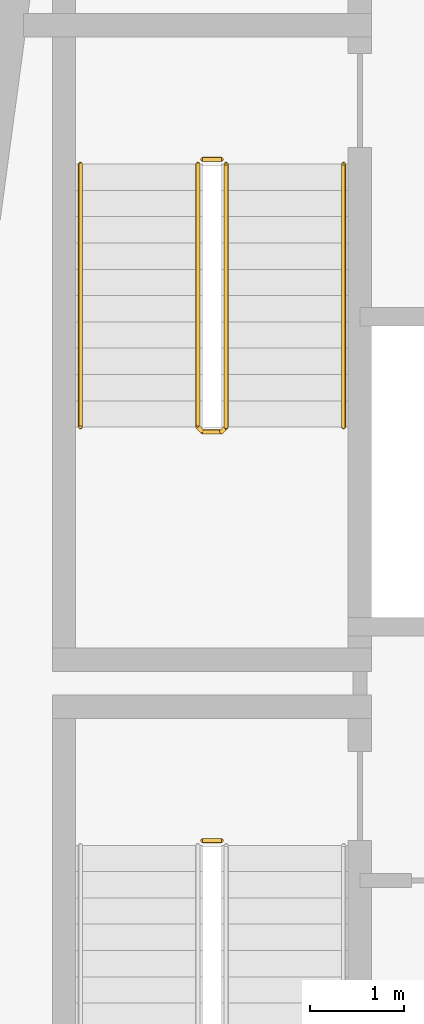
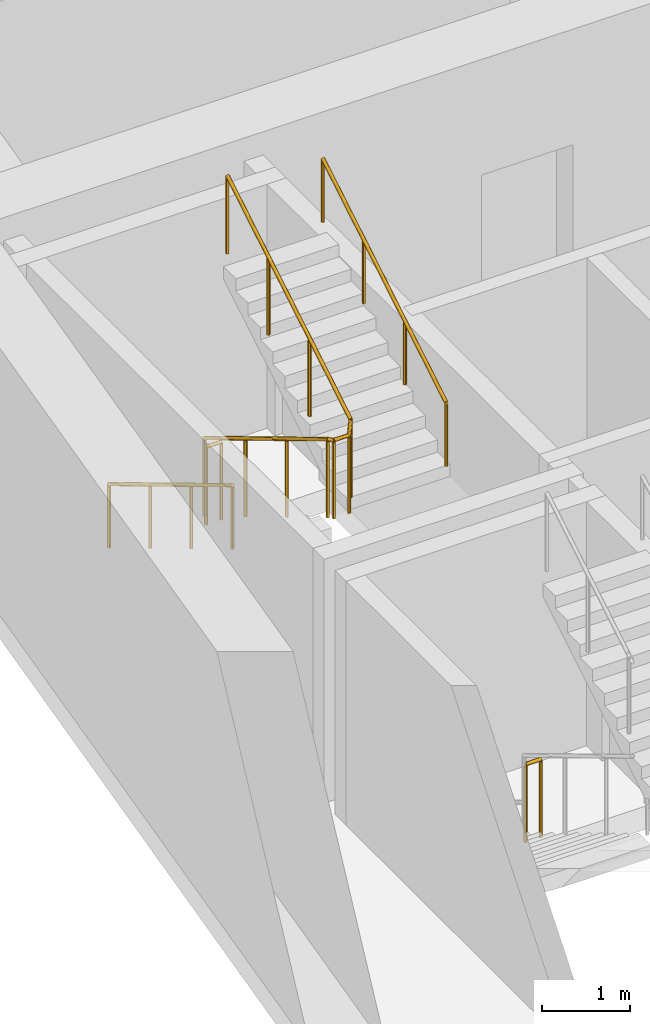
# One storey, part 10 of 13: 5 railings.
"""IFC4 building model written with IfcOpenShell, lengths in metres."""

from ifc_helpers import new_model, si_unit, direction, frame, origin, origin_2d, place, context, subcontext, project, spatial, circle, extrude, material, type_object, element, save


model = new_model("IFC4")

# Units and contexts
model_context = context("Model", 3, precision=1e-05, world=origin(), true_north=direction((0.0, 1.0)))
body_context = subcontext(model_context, "Body", "Model", "MODEL_VIEW")
ifc_project = project(units=[si_unit("LENGTHUNIT", "METRE"), si_unit("AREAUNIT", "SQUARE_METRE"), si_unit("VOLUMEUNIT", "CUBIC_METRE"), si_unit("PLANEANGLEUNIT", "RADIAN"), si_unit("MASSUNIT", "GRAM", prefix="KILO")], contexts=[model_context])

# Site, building, storey
site_placement = place(None, origin())
site = spatial("IfcSite", under=ifc_project, at=site_placement, CompositionType="ELEMENT")
building_placement = place(site_placement, origin())
building = spatial("IfcBuilding", under=site, at=building_placement, Name="Candeia Pilgrim Tower and Theatre", CompositionType="ELEMENT")
storey_placement = place(building_placement, frame((0.0, 0.0, 205.89990234375)))
storey = spatial("IfcBuildingStorey", under=building, at=storey_placement, Name="L49", CompositionType="ELEMENT", Elevation=205.89990234375)

# Railings
ifc_material_1 = material(Name="Stainless steel balustrade", Category="steel")
railing_type_1 = type_object("IfcRailingType", Name="RL-GUARD-1100", PredefinedType="GUARDRAIL", material=ifc_material_1)
railing_1_placement = place(storey_placement, frame((91.152099609375, 122.52490234375, 0.0)))
element("IfcRailing", 1, at=railing_1_placement, inside=storey, type_object=railing_type_1, Name="L49 ST1 stair guard 2", PredefinedType="GUARDRAIL", context=body_context, shape_type="SweptSolid", body=[
    extrude(circle(Radius=0.02392578125, at=origin_2d()), frame((0.0, 0.0, 1.076171875), z_axis=(1.0, 0.0, 0.0), x_axis=(0.0, 1.0, 0.0)), (0.0, 0.0, 1.0), 0.199951171875),
    extrude(circle(Radius=0.02099609375, at=origin_2d()), origin(), (0.0, 0.0, 1.0), 1.052001953125),
    extrude(circle(Radius=0.02099609375, at=origin_2d()), frame((0.199951171875, 0.0, 0.0)), (0.0, 0.0, 1.0), 1.052001953125),
])
railing_2_placement = place(storey_placement, frame((91.10205078125, 129.72509765625, 0.168212890625)))
element("IfcRailing", 2, at=railing_2_placement, inside=storey, type_object=railing_type_1, Name="L49 ST2 stair guard 1", PredefinedType="GUARDRAIL", context=body_context, shape_type="SweptSolid", body=[
    extrude(circle(Radius=0.02392578125, at=origin_2d()), frame((0.0, 0.0, 1.076171875), z_axis=(0.0, -0.857242210791, 0.514913383045), x_axis=(1.0, 0.0, 0.0)), (0.0, 0.0, 1.0), 3.266357421875),
    extrude(circle(Radius=0.02392578125, at=origin_2d()), frame((0.0, -2.800048828125, 2.7578125), z_axis=(0.707106781187, -0.707106781187, 0.0), x_axis=(0.707106781187, 0.707106781187, 0.0)), (0.0, 0.0, 1.0), 0.07080078125),
    extrude(circle(Radius=0.02392578125, at=origin_2d()), frame((0.050048828125, -2.85009765625, 2.7578125), z_axis=(1.0, 0.0, 0.0), x_axis=(0.0, 1.0, 0.0)), (0.0, 0.0, 1.0), 0.199951171875),
    extrude(circle(Radius=0.02392578125, at=origin_2d()), frame((0.25, -2.85009765625, 2.7578125), z_axis=(0.274243871929, 0.274243871929, 0.92172696468), x_axis=(-0.707106781187, 0.707106781187, 0.0)), (0.0, 0.0, 1.0), 0.1826171875),
    extrude(circle(Radius=0.02392578125, at=origin_2d()), frame((0.300048828125, -2.800048828125, 2.92626953125), z_axis=(0.0, 0.857242210791, 0.514913383045), x_axis=(-1.0, 0.0, 0.0)), (0.0, 0.0, 1.0), 3.266357421875),
    extrude(circle(Radius=0.02099609375, at=origin_2d()), origin(), (0.0, 0.0, 1.0), 1.052001953125),
    extrude(circle(Radius=0.02099609375, at=origin_2d()), frame((0.0, -0.933349609375, 0.560546875)), (0.0, 0.0, 1.0), 1.052001953125),
    extrude(circle(Radius=0.02099609375, at=origin_2d()), frame((0.0, -1.86669921875, 1.121337890625)), (0.0, 0.0, 1.0), 1.052001953125),
    extrude(circle(Radius=0.02099609375, at=origin_2d()), frame((0.0, -2.800048828125, 1.681884765625)), (0.0, 0.0, 1.0), 1.052001953125),
    extrude(circle(Radius=0.02099609375, at=origin_2d()), frame((0.050048828125, -2.85009765625, 1.681884765625)), (0.0, 0.0, 1.0), 1.052001953125),
    extrude(circle(Radius=0.02099609375, at=origin_2d()), frame((0.25, -2.85009765625, 1.681884765625)), (0.0, 0.0, 1.0), 1.052001953125),
    extrude(circle(Radius=0.02099609375, at=origin_2d()), frame((0.300048828125, -2.800048828125, 1.85009765625)), (0.0, 0.0, 1.0), 1.052001953125),
    extrude(circle(Radius=0.02099609375, at=origin_2d()), frame((0.300048828125, -1.86669921875, 2.41064453125)), (0.0, 0.0, 1.0), 1.052001953125),
    extrude(circle(Radius=0.02099609375, at=origin_2d()), frame((0.300048828125, -0.933349609375, 2.971435546875)), (0.0, 0.0, 1.0), 1.052001953125),
    extrude(circle(Radius=0.02099609375, at=origin_2d()), frame((0.300048828125, 0.0, 3.531982421875)), (0.0, 0.0, 1.0), 1.052001953125),
])
railing_3_placement = place(storey_placement, frame((91.152099609375, 129.77490234375, 0.0)))
element("IfcRailing", 3, at=railing_3_placement, inside=storey, type_object=railing_type_1, Name="L49 ST2 stair guard 2", PredefinedType="GUARDRAIL", context=body_context, shape_type="SweptSolid", body=[
    extrude(circle(Radius=0.02392578125, at=origin_2d()), frame((0.0, 0.0, 1.076171875), z_axis=(1.0, 0.0, 0.0), x_axis=(0.0, 1.0, 0.0)), (0.0, 0.0, 1.0), 0.199951171875),
    extrude(circle(Radius=0.02099609375, at=origin_2d()), origin(), (0.0, 0.0, 1.0), 1.052001953125),
    extrude(circle(Radius=0.02099609375, at=origin_2d()), frame((0.199951171875, 0.0, 0.0)), (0.0, 0.0, 1.0), 1.052001953125),
])
ifc_material_2 = material(Name="Stainless steel handrail", Category="steel")
railing_type_2 = type_object("IfcRailingType", Name="RL-HANDRAIL-900", PredefinedType="HANDRAIL", material=ifc_material_2)
railing_4_placement = place(storey_placement, frame((89.85205078125, 129.72509765625, 0.168212890625)))
element("IfcRailing", 4, at=railing_4_placement, inside=storey, type_object=railing_type_2, Name="L49 ST2 stair handrail 1", PredefinedType="HANDRAIL", context=body_context, shape_type="SweptSolid", body=[
    extrude(circle(Radius=0.02392578125, at=origin_2d()), frame((0.0, 0.0, 0.8759765625), z_axis=(0.0, -0.857242210791, 0.514913383045), x_axis=(1.0, 0.0, 0.0)), (0.0, 0.0, 1.0), 3.266357421875),
    extrude(circle(Radius=0.02099609375, at=origin_2d()), origin(), (0.0, 0.0, 1.0), 0.851806640625),
    extrude(circle(Radius=0.02099609375, at=origin_2d()), frame((0.0, -0.933349609375, 0.560546875)), (0.0, 0.0, 1.0), 0.851806640625),
    extrude(circle(Radius=0.02099609375, at=origin_2d()), frame((0.0, -1.86669921875, 1.121337890625)), (0.0, 0.0, 1.0), 0.851806640625),
    extrude(circle(Radius=0.02099609375, at=origin_2d()), frame((0.0, -2.800048828125, 1.681884765625)), (0.0, 0.0, 1.0), 0.851806640625),
])
railing_5_placement = place(storey_placement, frame((92.652099609375, 126.925048828125, 2.018310546875)))
element("IfcRailing", 5, at=railing_5_placement, inside=storey, type_object=railing_type_2, Name="L49 ST2 stair handrail 2", PredefinedType="HANDRAIL", context=body_context, shape_type="SweptSolid", body=[
    extrude(circle(Radius=0.02392578125, at=origin_2d()), frame((0.0, 0.0, 0.8759765625), z_axis=(0.0, 0.857242210791, 0.514913383045), x_axis=(-1.0, 0.0, 0.0)), (0.0, 0.0, 1.0), 3.266357421875),
    extrude(circle(Radius=0.02099609375, at=origin_2d()), origin(), (0.0, 0.0, 1.0), 0.851806640625),
    extrude(circle(Radius=0.02099609375, at=origin_2d()), frame((0.0, 0.933349609375, 0.560546875)), (0.0, 0.0, 1.0), 0.851806640625),
    extrude(circle(Radius=0.02099609375, at=origin_2d()), frame((0.0, 1.86669921875, 1.121337890625)), (0.0, 0.0, 1.0), 0.851806640625),
    extrude(circle(Radius=0.02099609375, at=origin_2d()), frame((0.0, 2.800048828125, 1.681884765625)), (0.0, 0.0, 1.0), 0.851806640625),
])

save(model, "model.ifc")
